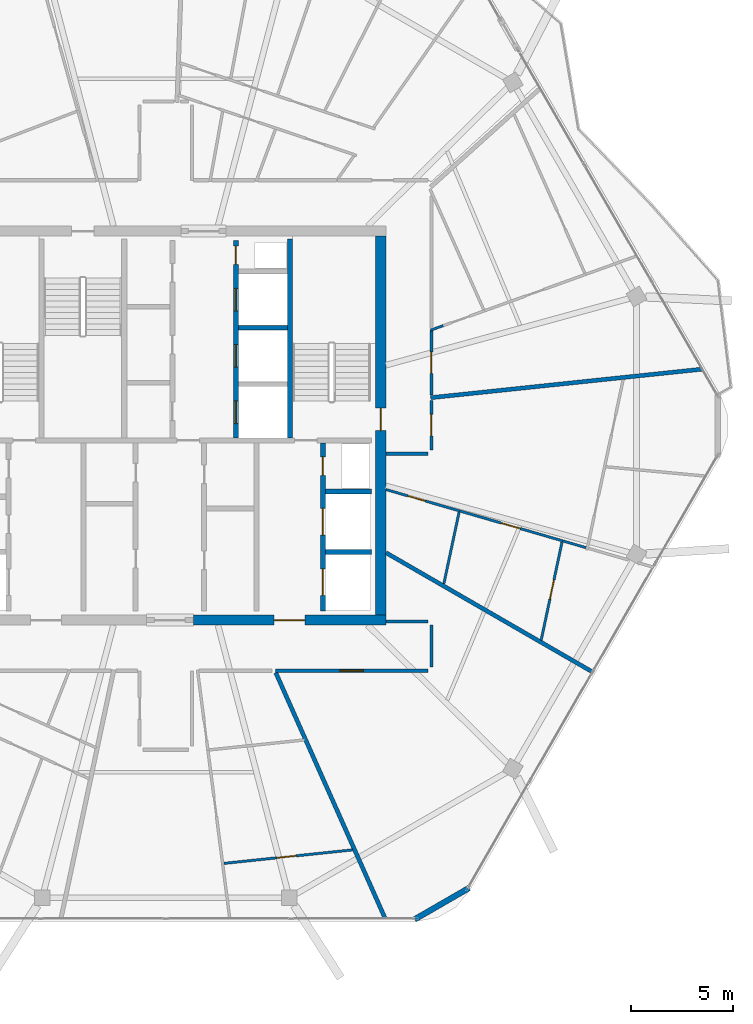
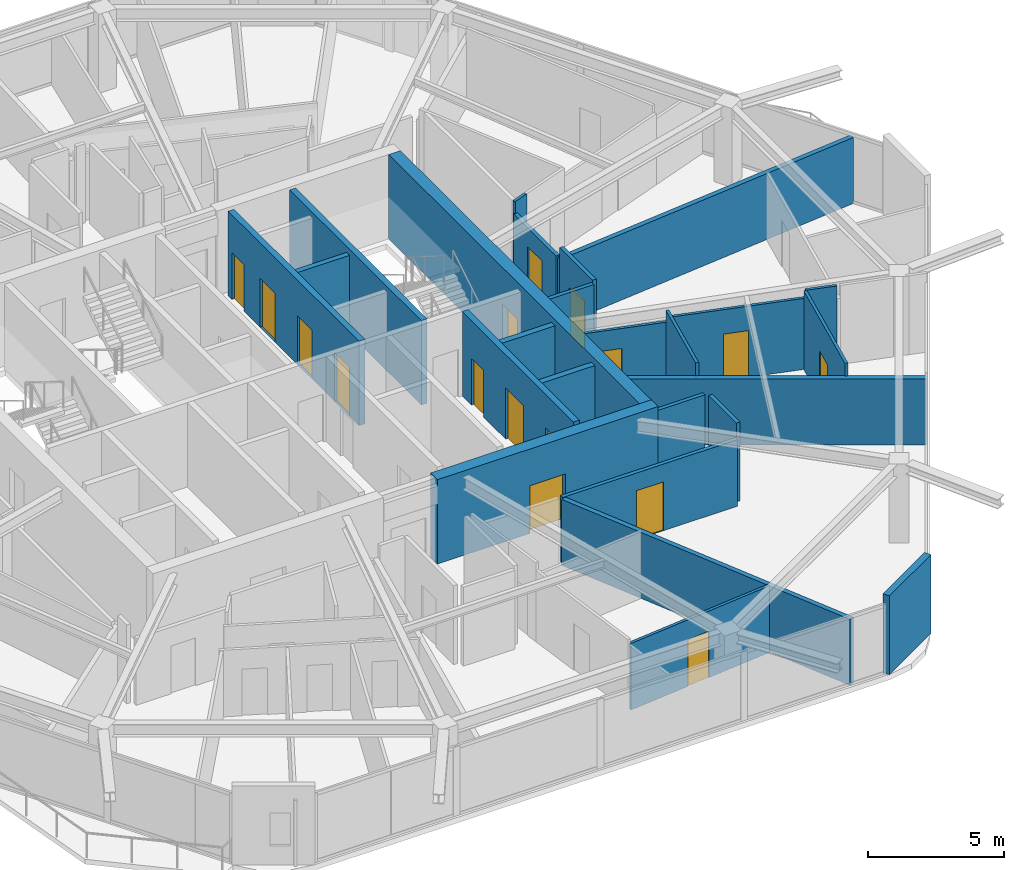
# One storey, part 14 of 18: 25 walls, 16 doors, 16 openings.
"""IFC4 building model written with IfcOpenShell, lengths in metres."""

import ifcopenshell
import ifcopenshell.guid

model = None  # the IFC model being written
_history = None  # IfcOwnerHistory: only IFC2X3 demands one
_inside = {}  # id of a spatial element -> (the spatial element, [elements in it])
_under = {}  # id of a project, library or spatial element -> (it, [spatial elements below it])
_declared = {}  # id of a project -> (the project, [libraries it declares])
_typed = {}  # id of a type object -> (the type object, [elements of that type])
_made_of = {}  # id of a material, layer set ... -> (it, [elements and type objects made of it])


def new_model(schema):
    """Start an empty IFC model of exactly this schema.

    Asked for "IFC4X3", IfcOpenShell would pick the latest addendum, in which some entities
    have other attributes; the version numbers below select the first issue.
    IFC2X3 requires an IfcOwnerHistory on every rooted entity: one is made here for all.
    """
    global model, _history
    if schema == "IFC4X3":
        model = ifcopenshell.file(schema_version=(4, 3, 0, 0))
    else:
        model = ifcopenshell.file(schema=schema)
    _inside.clear()
    _under.clear()
    _declared.clear()
    _typed.clear()
    _made_of.clear()
    _history = None
    if model.schema == "IFC2X3":
        org = make("IfcOrganization", Name="unknown")
        user = make(
            "IfcPersonAndOrganization",
            ThePerson=make("IfcPerson", FamilyName="unknown"),
            TheOrganization=org,
        )
        app = make(
            "IfcApplication",
            ApplicationDeveloper=org,
            Version="unknown",
            ApplicationFullName="unknown",
            ApplicationIdentifier="unknown",
        )
        _history = make(
            "IfcOwnerHistory",
            OwningUser=user,
            OwningApplication=app,
            ChangeAction="ADDED",
            CreationDate=0,
        )
    return model


def make(cls, **values):
    """One entity of the class cls with the attributes given. An attribute that is None is left unset."""
    return model.create_entity(
        cls, **{name: value for name, value in values.items() if value is not None}
    )


def rooted(cls, **values):
    """An entity with a GlobalId (a new one), such as an element, a storey or a relation."""
    return make(cls, GlobalId=ifcopenshell.guid.new(), OwnerHistory=_history, **values)


def si_unit(unit_type, name, prefix=None):
    """IfcSIUnit, for example si_unit("LENGTHUNIT", "METRE", prefix="MILLI")."""
    return make("IfcSIUnit", UnitType=unit_type, Prefix=prefix, Name=name)


def assignment(units):
    """IfcUnitAssignment: the units of a project."""
    return None if units is None else make("IfcUnitAssignment", Units=units)


def point(xyz):
    """IfcCartesianPoint."""
    return None if xyz is None else make("IfcCartesianPoint", Coordinates=xyz)


def direction(xyz):
    """IfcDirection."""
    return None if xyz is None else make("IfcDirection", DirectionRatios=xyz)


def frame(location, z_axis=None, x_axis=None):
    """IfcAxis2Placement3D, a coordinate frame: its origin and axes. An axis left out is left unset."""
    return make(
        "IfcAxis2Placement3D",
        Location=point(location),
        Axis=direction(z_axis),
        RefDirection=direction(x_axis),
    )


def frame_2d(location, x_axis=None):
    """IfcAxis2Placement2D, a coordinate frame in the plane: its origin and x axis."""
    return make(
        "IfcAxis2Placement2D", Location=point(location), RefDirection=direction(x_axis)
    )


def origin():
    """The frame at (0, 0, 0) with its axes left unset."""
    return frame((0.0, 0.0, 0.0))


def place(relative_to, where):
    """IfcLocalPlacement: puts the frame where relative to a parent placement (None: the world)."""
    return make(
        "IfcLocalPlacement", PlacementRelTo=relative_to, RelativePlacement=where
    )


def context(
    kind, dimensions, precision=None, world=None, true_north=None, identifier=None
):
    """IfcGeometricRepresentationContext, for example the 3D "Model" context."""
    return make(
        "IfcGeometricRepresentationContext",
        ContextIdentifier=identifier,
        ContextType=kind,
        CoordinateSpaceDimension=dimensions,
        Precision=precision,
        WorldCoordinateSystem=world,
        TrueNorth=true_north,
    )


def subcontext(parent, identifier, kind, view, scale=None):
    """IfcGeometricRepresentationSubContext, for example "Body" below "Model"."""
    return make(
        "IfcGeometricRepresentationSubContext",
        ContextIdentifier=identifier,
        ContextType=kind,
        ParentContext=parent,
        TargetScale=scale,
        TargetView=view,
    )


def project(units=None, contexts=None):
    """IfcProject with its units and contexts."""
    return rooted(
        "IfcProject",
        Name="project",
        RepresentationContexts=contexts,
        UnitsInContext=assignment(units),
    )


def spatial(cls, under=None, at=None, **own):
    """A site, building, storey or space (cls), placed at a placement, below another one or the project."""
    s = rooted(cls, ObjectPlacement=at, **own)
    if under is not None:
        _under.setdefault(under.id(), (under, []))[1].append(s)
    return s


def profile(cls, at=None, kind="AREA", **sizes):
    """A parametric profile (cls). Its sizes go by their IFC names, for example OverallWidth=200.0."""
    return make(cls, ProfileType=kind, Position=at, **sizes)


def rectangle(**sizes):
    """IfcRectangleProfileDef."""
    return profile("IfcRectangleProfileDef", **sizes)


def extrude(swept, where, along, depth):
    """IfcExtrudedAreaSolid: the profile swept, set in the frame where, extruded along a direction by depth."""
    return make(
        "IfcExtrudedAreaSolid",
        SweptArea=swept,
        Position=where,
        ExtrudedDirection=direction(along),
        Depth=depth,
    )


def shape(context_of_items, identifier, shape_type, items):
    """IfcShapeRepresentation: the items that make up one representation, for example the "Body"."""
    return make(
        "IfcShapeRepresentation",
        ContextOfItems=context_of_items,
        RepresentationIdentifier=identifier,
        RepresentationType=shape_type,
        Items=items,
    )


def material(Name=None, Category=None):
    """IfcMaterial."""
    return make("IfcMaterial", Name=Name, Category=Category)


def layer(
    of_material, thickness, ventilated=None, Name=None, Category=None, Priority=None
):
    """IfcMaterialLayer: one layer of a wall or slab, of a material (None: an air gap)."""
    return make(
        "IfcMaterialLayer",
        Material=of_material,
        LayerThickness=thickness,
        IsVentilated=ventilated,
        Name=Name,
        Category=Category,
        Priority=Priority,
    )


def layer_set(layers, Name=None):
    """IfcMaterialLayerSet."""
    return make("IfcMaterialLayerSet", MaterialLayers=layers, LayerSetName=Name)


def made_of(thing, what):
    """Note that an element or type object is made of a material, layer set ...; save() writes the relation."""
    if what is not None:
        _made_of.setdefault(what.id(), (what, []))[1].append(thing)
    return thing


def type_object(cls, material=None, **own):
    """A type object (cls), such as IfcWallType, which elements share."""
    return made_of(rooted(cls, **own), material)


def element(
    cls,
    number,
    at=None,
    inside=None,
    cuts=None,
    type_object=None,
    material=None,
    context=None,
    identifier="Body",
    shape_type=None,
    held_by="IfcProductDefinitionShape",
    body=None,
    shapes=None,
    **own,
):
    """One element of the class cls, such as IfcWall. Its Tag is "e" and its number.

    at: its placement. inside: the storey or other place that contains it. cuts: it is an
    opening in that element (IfcRelVoidsElement). A single representation is given by context,
    identifier, shape_type and body (its items); several are given by shapes. held_by: the class
    of the entity that holds the representations. save() writes the other relations.
    """
    e = rooted(cls, Tag="e%d" % number, ObjectPlacement=at, **own)
    if body is not None:
        shapes = [shape(context, identifier, shape_type, body)]
    if shapes is not None:
        e.Representation = make(held_by, Representations=shapes)
    if inside is not None:
        _inside.setdefault(inside.id(), (inside, []))[1].append(e)
    if cuts is not None:
        rooted(
            "IfcRelVoidsElement", RelatingBuildingElement=cuts, RelatedOpeningElement=e
        )
    if type_object is not None:
        _typed.setdefault(type_object.id(), (type_object, []))[1].append(e)
    return made_of(e, material)


def fill(opening, filler):
    """IfcRelFillsElement: the door or window that sits in an opening."""
    return rooted(
        "IfcRelFillsElement",
        RelatingOpeningElement=opening,
        RelatedBuildingElement=filler,
    )


def aggregate(whole, parts):
    """IfcRelAggregates: a whole, such as a stair, and the parts it consists of."""
    return rooted("IfcRelAggregates", RelatingObject=whole, RelatedObjects=parts)


def save(model, path):
    """Write the relations noted so far, then the file.

    IfcRelAggregates (storeys below a building ...), IfcRelContainedInSpatialStructure (elements
    in a storey), IfcRelDefinesByType, IfcRelAssociatesMaterial and IfcRelDeclares: one each for
    every whole, place, type object, material and project.
    """
    for whole, parts in _under.values():
        aggregate(whole, parts)
    for where, things in _inside.values():
        rooted(
            "IfcRelContainedInSpatialStructure",
            RelatedElements=things,
            RelatingStructure=where,
        )
    for kind, things in _typed.values():
        rooted("IfcRelDefinesByType", RelatedObjects=things, RelatingType=kind)
    for what, things in _made_of.values():
        rooted("IfcRelAssociatesMaterial", RelatedObjects=things, RelatingMaterial=what)
    for by, libraries in _declared.values():
        rooted("IfcRelDeclares", RelatingContext=by, RelatedDefinitions=libraries)
    model.write(path)


model = new_model("IFC4")

# Units and contexts
model_context = context("Model", 3, precision=1e-05, world=origin(), true_north=direction((0.0, 1.0)))
body_context = subcontext(model_context, "Body", "Model", "MODEL_VIEW")
ifc_project = project(units=[si_unit("LENGTHUNIT", "METRE"), si_unit("AREAUNIT", "SQUARE_METRE"), si_unit("VOLUMEUNIT", "CUBIC_METRE"), si_unit("PLANEANGLEUNIT", "RADIAN"), si_unit("MASSUNIT", "GRAM", prefix="KILO")], contexts=[model_context])

# Site, building, storey
site_placement = place(None, origin())
site = spatial("IfcSite", under=ifc_project, at=site_placement, CompositionType="ELEMENT")
building_placement = place(site_placement, origin())
building = spatial("IfcBuilding", under=site, at=building_placement, Name="Zuhravey Tower", CompositionType="ELEMENT")
storey_placement = place(building_placement, frame((0.0, 0.0, 342.39990234375)))
storey = spatial("IfcBuildingStorey", under=building, at=storey_placement, Name="L87", CompositionType="ELEMENT", Elevation=342.39990234375)

# Wall, opening, door
ifc_material_1 = material(Name="Concrete C50/60", Category="concrete")
ifc_layer_1 = layer(ifc_material_1, 0.5)
ifc_layer_set_1 = layer_set([ifc_layer_1], Name="Concrete C50/60")
wall_type_1 = type_object("IfcWallType", Name="Core Shear Wall 500", PredefinedType="SHEAR", material=ifc_layer_set_1)
wall_1_placement = place(storey_placement, frame((37.35009765625, 22.5, 0.0), z_axis=(0.0, 0.0, 1.0), x_axis=(1.0, 0.0, 0.0)))
wall_1 = element("IfcWall", 1, at=wall_1_placement, inside=storey, type_object=wall_type_1, Name="L87 South-East Core Shear Wall CW50", PredefinedType="SHEAR", context=body_context, shape_type="SweptSolid", body=[
    extrude(rectangle(XDim=9.39990234375, YDim=0.5, at=frame_2d((4.699951171875, 0.0))), origin(), (0.0, 0.0, 1.0), 3.800048828125),
])
opening_1_placement = place(wall_1_placement, frame((3.949951171875, 0.0, 0.0)))
opening_1 = element("IfcOpeningElement", 2, at=opening_1_placement, cuts=wall_1, Name="Opening FFD1", PredefinedType="OPENING", context=body_context, shape_type="SweptSolid", body=[
    extrude(rectangle(XDim=1.5, YDim=2.14990234375, at=frame_2d((0.75, 1.074951171875))), frame((0.0, 0.261962890625, 0.0), z_axis=(0.0, -1.0, 0.0), x_axis=(1.0, 0.0, 0.0)), (0.0, 0.0, 1.0), 0.52392578125),
])
ifc_material_2 = material(Name="Galvanised fire-rated steel leaf", Category="steel")
door_type_1 = type_object("IfcDoorType", Name="Firefighting Lobby Double Door 1500x2150", OperationType="DOUBLE_DOOR_SINGLE_SWING", PredefinedType="DOOR", material=ifc_material_2)
door_1_placement = place(opening_1_placement, origin())
door_1 = element("IfcDoor", 3, at=door_1_placement, inside=storey, type_object=door_type_1, Name="L87 Firefighting Lobby East Door", OperationType="DOUBLE_DOOR_SINGLE_SWING", OverallHeight=2.14990234375, OverallWidth=1.5, PredefinedType="DOOR", context=body_context, shape_type="SweptSolid", body=[
    extrude(rectangle(XDim=1.5, YDim=2.14990234375, at=frame_2d((0.75, 1.074951171875))), frame((0.0, 0.02490234375, 0.0), z_axis=(0.0, -1.0, 0.0), x_axis=(1.0, 0.0, 0.0)), (0.0, 0.0, 1.0), 0.050048828125),
])
fill(opening_1, door_1)

wall_2_placement = place(storey_placement, frame((46.5, 22.75, 0.0), z_axis=(0.0, 0.0, 1.0), x_axis=(0.0, 1.0, 0.0)))
wall_2 = element("IfcWall", 4, at=wall_2_placement, inside=storey, type_object=wall_type_1, Name="L87 East Core Shear Wall CW50", PredefinedType="SHEAR", context=body_context, shape_type="SweptSolid", body=[
    extrude(rectangle(XDim=18.5, YDim=0.5, at=frame_2d((9.25, 0.0))), origin(), (0.0, 0.0, 1.0), 3.800048828125),
])
opening_2_placement = place(wall_2_placement, frame((9.0, 0.0, 0.0)))
opening_2 = element("IfcOpeningElement", 5, at=opening_2_placement, cuts=wall_2, Name="Opening STD1", PredefinedType="OPENING", context=body_context, shape_type="SweptSolid", body=[
    extrude(rectangle(XDim=1.10009765625, YDim=2.14990234375, at=frame_2d((0.550048828125, 1.074951171875))), frame((0.0, 0.261962890625, 0.0), z_axis=(0.0, -1.0, 0.0), x_axis=(1.0, 0.0, 0.0)), (0.0, 0.0, 1.0), 0.52392578125),
])
door_type_2 = type_object("IfcDoorType", Name="Protected Stair Fire Door 1100x2150", OperationType="NOTDEFINED", PredefinedType="USERDEFINED", material=ifc_material_2)
door_2_placement = place(opening_2_placement, origin())
door_2 = element("IfcDoor", 6, at=door_2_placement, inside=storey, type_object=door_type_2, Name="L87 Stair ST2 Door", ObjectType="EXITDOOR", OperationType="SINGLE_SWING_LEFT", OverallHeight=2.14990234375, OverallWidth=1.10009765625, PredefinedType="USERDEFINED", context=body_context, shape_type="SweptSolid", body=[
    extrude(rectangle(XDim=1.10009765625, YDim=2.14990234375, at=frame_2d((0.550048828125, 1.074951171875))), frame((0.0, 0.02490234375, 0.0), z_axis=(0.0, -1.0, 0.0), x_axis=(1.0, 0.0, 0.0)), (0.0, 0.0, 1.0), 0.050048828125),
])
fill(opening_2, door_2)

ifc_material_3 = material(Name="Gypsum fire-rated stud partition")
ifc_layer_2 = layer(ifc_material_3, 0.159912109375)
ifc_layer_set_2 = layer_set([ifc_layer_2], Name="Gypsum fire-rated stud partition")
wall_type_2 = type_object("IfcWallType", Name="Corridor Fire Partition 160", PredefinedType="PARTITIONING", material=ifc_layer_set_2)
wall_3_placement = place(storey_placement, frame((41.355712890625, 20.02001953125, 0.0), z_axis=(0.0, 0.0, 1.0), x_axis=(1.0, 0.0, 0.0)))
wall_3 = element("IfcWall", 7, at=wall_3_placement, inside=storey, type_object=wall_type_2, Name="L87 IW16 Partition 041", PredefinedType="PARTITIONING", context=body_context, shape_type="SweptSolid", body=[
    extrude(rectangle(XDim=7.4443359375, YDim=0.159912109375, at=frame_2d((3.72216796875, 0.0))), origin(), (0.0, 0.0, 1.0), 3.0),
])
opening_3_placement = place(wall_3_placement, frame((3.147216796875, 0.0, 0.0)))
opening_3 = element("IfcOpeningElement", 8, at=opening_3_placement, cuts=wall_3, Name="Opening CLD1", PredefinedType="OPENING", context=body_context, shape_type="SweptSolid", body=[
    extrude(rectangle(XDim=1.14990234375, YDim=2.199951171875, at=frame_2d((0.574951171875, 1.10009765625))), frame((0.0, 0.092041015625, 0.0), z_axis=(0.0, -1.0, 0.0), x_axis=(1.0, 0.0, 0.0)), (0.0, 0.0, 1.0), 0.183837890625),
])
ifc_material_4 = material(Name="Acoustic timber leaf with vision lite", Category="wood")
door_type_3 = type_object("IfcDoorType", Name="Classroom Acoustic Door 1150x2200", OperationType="NOTDEFINED", PredefinedType="DOOR", material=ifc_material_4)
door_3_placement = place(opening_3_placement, frame((1.14990234375, 0.0, 0.0), z_axis=(0.0, 0.0, 1.0), x_axis=(-1.0, 0.0, 0.0)))
door_3 = element("IfcDoor", 9, at=door_3_placement, inside=storey, type_object=door_type_3, Name="L87 Door 041.1", OperationType="SINGLE_SWING_LEFT", OverallHeight=2.199951171875, OverallWidth=1.14990234375, PredefinedType="DOOR", context=body_context, shape_type="SweptSolid", body=[
    extrude(rectangle(XDim=1.14990234375, YDim=2.199951171875, at=frame_2d((0.574951171875, 1.10009765625))), frame((0.0, 0.02490234375, 0.0), z_axis=(0.0, -1.0, 0.0), x_axis=(1.0, 0.0, 0.0)), (0.0, 0.0, 1.0), 0.050048828125),
])
fill(opening_3, door_3)

wall_4_placement = place(storey_placement, frame((48.97998046875, 30.800048828125, 0.0), z_axis=(0.0, 0.0, 1.0), x_axis=(0.0, 1.0, 0.0)))
wall_4 = element("IfcWall", 10, at=wall_4_placement, inside=storey, type_object=wall_type_2, Name="L87 IW16 Partition 046", PredefinedType="PARTITIONING", context=body_context, shape_type="SweptSolid", body=[
    extrude(rectangle(XDim=2.4296875, YDim=0.159912109375, at=frame_2d((1.21484375, 0.0))), origin(), (0.0, 0.0, 1.0), 3.550048828125),
])
opening_4_placement = place(wall_4_placement, frame((0.68994140625, 0.0, 0.0)))
opening_4 = element("IfcOpeningElement", 11, at=opening_4_placement, cuts=wall_4, Name="Opening APD1", PredefinedType="OPENING", context=body_context, shape_type="SweptSolid", body=[
    extrude(rectangle(XDim=1.050048828125, YDim=2.14990234375, at=frame_2d((0.52490234375, 1.074951171875))), frame((0.0, 0.092041015625, 0.0), z_axis=(0.0, -1.0, 0.0), x_axis=(1.0, 0.0, 0.0)), (0.0, 0.0, 1.0), 0.183837890625),
])
ifc_material_5 = material(Name="Solid-core oak fire-rated leaf")
door_type_4 = type_object("IfcDoorType", Name="Apartment Entrance Fire Door 1050x2150", OperationType="NOTDEFINED", PredefinedType="DOOR", material=ifc_material_5)
door_4_placement = place(opening_4_placement, frame((1.050048828125, 0.0, 0.0), z_axis=(0.0, 0.0, 1.0), x_axis=(-1.0, 0.0, 0.0)))
door_4 = element("IfcDoor", 12, at=door_4_placement, inside=storey, type_object=door_type_4, Name="L87 Door 046.1", OperationType="SINGLE_SWING_LEFT", OverallHeight=2.14990234375, OverallWidth=1.050048828125, PredefinedType="DOOR", context=body_context, shape_type="SweptSolid", body=[
    extrude(rectangle(XDim=1.050048828125, YDim=2.14990234375, at=frame_2d((0.52490234375, 1.074951171875))), frame((0.0, 0.02490234375, 0.0), z_axis=(0.0, -1.0, 0.0), x_axis=(1.0, 0.0, 0.0)), (0.0, 0.0, 1.0), 0.050048828125),
])
fill(opening_4, door_4)

wall_5_placement = place(storey_placement, frame((48.97998046875, 33.4990234375, 0.0), z_axis=(0.0, 0.0, 1.0), x_axis=(0.0, 1.0, 0.0)))
wall_5 = element("IfcWall", 13, at=wall_5_placement, inside=storey, type_object=wall_type_2, Name="L87 IW16 Partition 050", PredefinedType="PARTITIONING", context=body_context, shape_type="SweptSolid", body=[
    extrude(rectangle(XDim=3.15283203125, YDim=0.159912109375, at=frame_2d((1.576416015625, 0.0))), origin(), (0.0, 0.0, 1.0), 3.0),
])
opening_5_placement = place(wall_5_placement, frame((1.051513671875, 0.0, 0.0)))
opening_5 = element("IfcOpeningElement", 14, at=opening_5_placement, cuts=wall_5, Name="Opening APD1", PredefinedType="OPENING", context=body_context, shape_type="SweptSolid", body=[
    extrude(rectangle(XDim=1.050048828125, YDim=2.14990234375, at=frame_2d((0.52490234375, 1.074951171875))), frame((0.0, 0.092041015625, 0.0), z_axis=(0.0, -1.0, 0.0), x_axis=(1.0, 0.0, 0.0)), (0.0, 0.0, 1.0), 0.183837890625),
])
door_5_placement = place(opening_5_placement, frame((1.050048828125, 0.0, 0.0), z_axis=(0.0, 0.0, 1.0), x_axis=(-1.0, 0.0, 0.0)))
door_5 = element("IfcDoor", 15, at=door_5_placement, inside=storey, type_object=door_type_4, Name="L87 Door 050.1", OperationType="SINGLE_SWING_LEFT", OverallHeight=2.14990234375, OverallWidth=1.050048828125, PredefinedType="DOOR", context=body_context, shape_type="SweptSolid", body=[
    extrude(rectangle(XDim=1.050048828125, YDim=2.14990234375, at=frame_2d((0.52490234375, 1.074951171875))), frame((0.0, 0.02490234375, 0.0), z_axis=(0.0, -1.0, 0.0), x_axis=(1.0, 0.0, 0.0)), (0.0, 0.0, 1.0), 0.050048828125),
])
fill(opening_5, door_5)

# Walls
wall_6_placement = place(storey_placement, frame((48.97998046875, 20.199951171875, 0.0), z_axis=(0.0, 0.0, 1.0), x_axis=(0.0, 1.0, 0.0)))
element("IfcWall", 16, at=wall_6_placement, inside=storey, type_object=wall_type_2, Name="L87 IW16 Partition 123", PredefinedType="PARTITIONING", context=body_context, shape_type="SweptSolid", body=[
    extrude(rectangle(XDim=2.050048828125, YDim=0.159912109375, at=frame_2d((1.02490234375, 0.0))), origin(), (0.0, 0.0, 1.0), 3.550048828125),
])
for number, where, z_axis, x_axis, name in (
    (17, (48.800048828125, 22.429931640625, 0.0), (0.0, 0.0, 1.0), (-1.0, 0.0, 0.0), "L87 IW16 Partition 124"),
    (18, (46.77001953125, 30.6201171875, 0.0), (0.0, 0.0, 1.0), (1.0, 0.0, 0.0), "L87 IW16 Partition 125"),
):
    element("IfcWall", number, at=place(storey_placement, frame(where, z_axis=z_axis, x_axis=x_axis)), inside=storey, type_object=wall_type_2, Name=name, PredefinedType="PARTITIONING", context=body_context, shape_type="SweptSolid", body=[
        extrude(rectangle(XDim=2.030029296875, YDim=0.159912109375, at=frame_2d((1.01513671875, 0.0))), origin(), (0.0, 0.0, 1.0), 3.550048828125),
    ])
ifc_material_6 = material(Name="Precast concrete C40/50", Category="concrete")
ifc_layer_3 = layer(ifc_material_6, 0.280029296875)
ifc_layer_set_3 = layer_set([ifc_layer_3], Name="Precast concrete C40/50")
wall_type_3 = type_object("IfcWallType", Name="Crown Architectural Wall 280", PredefinedType="SOLIDWALL", material=ifc_layer_set_3)
wall_7_placement = place(storey_placement, frame((50.811279296875, 9.410888671875, 0.0), z_axis=(0.0, 0.0, 1.0), x_axis=(-0.866023752521, -0.50000286006, 0.0)))
element("IfcWall", 19, at=wall_7_placement, inside=storey, type_object=wall_type_3, Name="L87 Rounded Corner Closure Wall EW28-02", PredefinedType="SOLIDWALL", context=body_context, shape_type="SweptSolid", body=[
    extrude(rectangle(XDim=3.06494140625, YDim=0.280029296875, at=frame_2d((1.532470703125, 0.0))), origin(), (0.0, 0.0, 1.0), 3.550048828125),
])
ifc_layer_4 = layer(ifc_material_1, 0.25)
ifc_layer_set_4 = layer_set([ifc_layer_4], Name="Concrete C50/60")
wall_type_4 = type_object("IfcWallType", Name="Firefighting Shaft & Stair Wall 250", PredefinedType="SOLIDWALL", material=ifc_layer_set_4)
wall_8_placement = place(storey_placement, frame((42.074951171875, 31.39990234375, 0.0), z_axis=(0.0, 0.0, 1.0), x_axis=(0.0, 1.0, 0.0)))
element("IfcWall", 20, at=wall_8_placement, inside=storey, type_object=wall_type_4, Name="L87 FW25 Shaft Wall 006", PredefinedType="SOLIDWALL", context=body_context, shape_type="SweptSolid", body=[
    extrude(rectangle(XDim=9.7001953125, YDim=0.25, at=frame_2d((4.85009765625, 0.0))), origin(), (0.0, 0.0, 1.0), 3.800048828125),
])

# Wall, openings, doors
wall_9_placement = place(storey_placement, frame((39.425048828125, 31.39990234375, 0.0), z_axis=(0.0, 0.0, 1.0), x_axis=(0.0, 1.0, 0.0)))
wall_9 = element("IfcWall", 21, at=wall_9_placement, inside=storey, type_object=wall_type_4, Name="L87 FW25 Shaft Wall 008", PredefinedType="SOLIDWALL", context=body_context, shape_type="SweptSolid", body=[
    extrude(rectangle(XDim=9.650146484375, YDim=0.25, at=frame_2d((4.8251953125, 0.0))), origin(), (0.0, 0.0, 1.0), 3.800048828125),
])
opening_6_placement = place(wall_9_placement, frame((0.699951171875, 0.0, 0.0)))
opening_6 = element("IfcOpeningElement", 22, at=opening_6_placement, cuts=wall_9, Name="Opening LD1", PredefinedType="OPENING", context=body_context, shape_type="SweptSolid", body=[
    extrude(rectangle(XDim=1.10009765625, YDim=2.199951171875, at=frame_2d((0.550048828125, 1.10009765625))), frame((0.0, 0.136962890625, 0.0), z_axis=(0.0, -1.0, 0.0), x_axis=(1.0, 0.0, 0.0)), (0.0, 0.0, 1.0), 0.27392578125),
])
opening_7_placement = place(wall_9_placement, frame((3.449951171875, 0.0, 0.0)))
opening_7 = element("IfcOpeningElement", 23, at=opening_7_placement, cuts=wall_9, Name="Opening LD1", PredefinedType="OPENING", context=body_context, shape_type="SweptSolid", body=[
    extrude(rectangle(XDim=1.10009765625, YDim=2.199951171875, at=frame_2d((0.550048828125, 1.10009765625))), frame((0.0, 0.136962890625, 0.0), z_axis=(0.0, -1.0, 0.0), x_axis=(1.0, 0.0, 0.0)), (0.0, 0.0, 1.0), 0.27392578125),
])
opening_8_placement = place(wall_9_placement, frame((6.199951171875, 0.0, 0.0)))
opening_8 = element("IfcOpeningElement", 24, at=opening_8_placement, cuts=wall_9, Name="Opening LD1", PredefinedType="OPENING", context=body_context, shape_type="SweptSolid", body=[
    extrude(rectangle(XDim=1.10009765625, YDim=2.199951171875, at=frame_2d((0.550048828125, 1.10009765625))), frame((0.0, 0.136962890625, 0.0), z_axis=(0.0, -1.0, 0.0), x_axis=(1.0, 0.0, 0.0)), (0.0, 0.0, 1.0), 0.27392578125),
])
opening_9_placement = place(wall_9_placement, frame((8.469970703125, 0.0, 0.0)))
opening_9 = element("IfcOpeningElement", 25, at=opening_9_placement, cuts=wall_9, Name="Opening RSD1", PredefinedType="OPENING", context=body_context, shape_type="SweptSolid", body=[
    extrude(rectangle(XDim=0.89990234375, YDim=2.10009765625, at=frame_2d((0.449951171875, 1.050048828125))), frame((0.0, 0.136962890625, 0.0), z_axis=(0.0, -1.0, 0.0), x_axis=(1.0, 0.0, 0.0)), (0.0, 0.0, 1.0), 0.27392578125),
])
ifc_material_7 = material(Name="Brushed stainless steel", Category="steel")
door_type_5 = type_object("IfcDoorType", Name="Lift Landing Sliding Door 1100x2200", OperationType="DOUBLE_DOOR_SLIDING", PredefinedType="DOOR", material=ifc_material_7)
door_6_placement = place(opening_6_placement, origin())
door_6 = element("IfcDoor", 26, at=door_6_placement, inside=storey, type_object=door_type_5, Name="L87 Lift PL7 Landing Door", OperationType="DOUBLE_DOOR_SLIDING", OverallHeight=2.199951171875, OverallWidth=1.10009765625, PredefinedType="DOOR", context=body_context, shape_type="SweptSolid", body=[
    extrude(rectangle(XDim=1.10009765625, YDim=2.199951171875, at=frame_2d((0.550048828125, 1.10009765625))), frame((0.0, 0.02490234375, 0.0), z_axis=(0.0, -1.0, 0.0), x_axis=(1.0, 0.0, 0.0)), (0.0, 0.0, 1.0), 0.050048828125),
])
fill(opening_6, door_6)
door_7_placement = place(opening_7_placement, origin())
door_7 = element("IfcDoor", 27, at=door_7_placement, inside=storey, type_object=door_type_5, Name="L87 Lift PL8 Landing Door", OperationType="DOUBLE_DOOR_SLIDING", OverallHeight=2.199951171875, OverallWidth=1.10009765625, PredefinedType="DOOR", context=body_context, shape_type="SweptSolid", body=[
    extrude(rectangle(XDim=1.10009765625, YDim=2.199951171875, at=frame_2d((0.550048828125, 1.10009765625))), frame((0.0, 0.02490234375, 0.0), z_axis=(0.0, -1.0, 0.0), x_axis=(1.0, 0.0, 0.0)), (0.0, 0.0, 1.0), 0.050048828125),
])
fill(opening_7, door_7)
door_8_placement = place(opening_8_placement, origin())
door_8 = element("IfcDoor", 28, at=door_8_placement, inside=storey, type_object=door_type_5, Name="L87 Lift PL9 Landing Door", OperationType="DOUBLE_DOOR_SLIDING", OverallHeight=2.199951171875, OverallWidth=1.10009765625, PredefinedType="DOOR", context=body_context, shape_type="SweptSolid", body=[
    extrude(rectangle(XDim=1.10009765625, YDim=2.199951171875, at=frame_2d((0.550048828125, 1.10009765625))), frame((0.0, 0.02490234375, 0.0), z_axis=(0.0, -1.0, 0.0), x_axis=(1.0, 0.0, 0.0)), (0.0, 0.0, 1.0), 0.050048828125),
])
fill(opening_8, door_8)
ifc_material_8 = material(Name="Galvanised fire-rated steel access leaf", Category="steel")
door_type_6 = type_object("IfcDoorType", Name="Riser & Shaft Access Fire Door 900x2100", OperationType="NOTDEFINED", PredefinedType="DOOR", material=ifc_material_8)
door_9_placement = place(opening_9_placement, origin())
door_9 = element("IfcDoor", 29, at=door_9_placement, inside=storey, type_object=door_type_6, Name="L87 North Riser Door", OperationType="SINGLE_SWING_LEFT", OverallHeight=2.10009765625, OverallWidth=0.89990234375, PredefinedType="DOOR", context=body_context, shape_type="SweptSolid", body=[
    extrude(rectangle(XDim=0.89990234375, YDim=2.10009765625, at=frame_2d((0.449951171875, 1.050048828125))), frame((0.0, 0.02490234375, 0.0), z_axis=(0.0, -1.0, 0.0), x_axis=(1.0, 0.0, 0.0)), (0.0, 0.0, 1.0), 0.050048828125),
])
fill(opening_9, door_9)

# Walls
for number, where, z_axis, x_axis, name in (
    (30, (43.800048828125, 25.824951171875, 0.0), (0.0, 0.0, 1.0), (1.0, 0.0, 0.0), "L87 FW25 Shaft Wall 017"),
    (31, (43.800048828125, 28.77490234375, 0.0), (0.0, 0.0, 1.0), (1.0, 0.0, 0.0), "L87 FW25 Shaft Wall 018"),
):
    element("IfcWall", number, at=place(storey_placement, frame(where, z_axis=z_axis, x_axis=x_axis)), inside=storey, type_object=wall_type_4, Name=name, PredefinedType="SOLIDWALL", context=body_context, shape_type="SweptSolid", body=[
        extrude(rectangle(XDim=2.25, YDim=0.25, at=frame_2d((1.125, 0.0))), origin(), (0.0, 0.0, 1.0), 3.800048828125),
    ])

# Wall, openings, doors
wall_10_placement = place(storey_placement, frame((43.675048828125, 22.949951171875, 0.0), z_axis=(0.0, 0.0, 1.0), x_axis=(0.0, 1.0, 0.0)))
wall_10 = element("IfcWall", 32, at=wall_10_placement, inside=storey, type_object=wall_type_4, Name="L87 FW25 Shaft Wall 019", PredefinedType="SOLIDWALL", context=body_context, shape_type="SweptSolid", body=[
    extrude(rectangle(XDim=8.199951171875, YDim=0.25, at=frame_2d((4.10009765625, 0.0))), origin(), (0.0, 0.0, 1.0), 3.800048828125),
])
opening_10_placement = place(wall_10_placement, frame((0.75, 0.0, 0.0)))
opening_10 = element("IfcOpeningElement", 33, at=opening_10_placement, cuts=wall_10, Name="Opening LD2", PredefinedType="OPENING", context=body_context, shape_type="SweptSolid", body=[
    extrude(rectangle(XDim=1.300048828125, YDim=2.300048828125, at=frame_2d((0.64990234375, 1.14990234375))), frame((0.0, 0.136962890625, 0.0), z_axis=(0.0, -1.0, 0.0), x_axis=(1.0, 0.0, 0.0)), (0.0, 0.0, 1.0), 0.27392578125),
])
opening_11_placement = place(wall_10_placement, frame((3.699951171875, 0.0, 0.0)))
opening_11 = element("IfcOpeningElement", 34, at=opening_11_placement, cuts=wall_10, Name="Opening LD2", PredefinedType="OPENING", context=body_context, shape_type="SweptSolid", body=[
    extrude(rectangle(XDim=1.300048828125, YDim=2.300048828125, at=frame_2d((0.64990234375, 1.14990234375))), frame((0.0, 0.136962890625, 0.0), z_axis=(0.0, -1.0, 0.0), x_axis=(1.0, 0.0, 0.0)), (0.0, 0.0, 1.0), 0.27392578125),
])
opening_12_placement = place(wall_10_placement, frame((6.6201171875, 0.0, 0.0)))
opening_12 = element("IfcOpeningElement", 35, at=opening_12_placement, cuts=wall_10, Name="Opening RSD1", PredefinedType="OPENING", context=body_context, shape_type="SweptSolid", body=[
    extrude(rectangle(XDim=0.89990234375, YDim=2.10009765625, at=frame_2d((0.449951171875, 1.050048828125))), frame((0.0, 0.136962890625, 0.0), z_axis=(0.0, -1.0, 0.0), x_axis=(1.0, 0.0, 0.0)), (0.0, 0.0, 1.0), 0.27392578125),
])
door_type_7 = type_object("IfcDoorType", Name="Freight & Stretcher Lift Sliding Door 1300x2300", OperationType="DOUBLE_DOOR_SLIDING", PredefinedType="DOOR", material=ifc_material_7)
door_10_placement = place(opening_10_placement, origin())
door_10 = element("IfcDoor", 36, at=door_10_placement, inside=storey, type_object=door_type_7, Name="L87 Lift FF2 Landing Door", OperationType="DOUBLE_DOOR_SLIDING", OverallHeight=2.300048828125, OverallWidth=1.300048828125, PredefinedType="DOOR", context=body_context, shape_type="SweptSolid", body=[
    extrude(rectangle(XDim=1.300048828125, YDim=2.300048828125, at=frame_2d((0.64990234375, 1.14990234375))), frame((0.0, 0.02490234375, 0.0), z_axis=(0.0, -1.0, 0.0), x_axis=(1.0, 0.0, 0.0)), (0.0, 0.0, 1.0), 0.050048828125),
])
fill(opening_10, door_10)
door_11_placement = place(opening_11_placement, origin())
door_11 = element("IfcDoor", 37, at=door_11_placement, inside=storey, type_object=door_type_7, Name="L87 Lift SV1 Landing Door", OperationType="DOUBLE_DOOR_SLIDING", OverallHeight=2.300048828125, OverallWidth=1.300048828125, PredefinedType="DOOR", context=body_context, shape_type="SweptSolid", body=[
    extrude(rectangle(XDim=1.300048828125, YDim=2.300048828125, at=frame_2d((0.64990234375, 1.14990234375))), frame((0.0, 0.02490234375, 0.0), z_axis=(0.0, -1.0, 0.0), x_axis=(1.0, 0.0, 0.0)), (0.0, 0.0, 1.0), 0.050048828125),
])
fill(opening_11, door_11)
door_12_placement = place(opening_12_placement, origin())
door_12 = element("IfcDoor", 38, at=door_12_placement, inside=storey, type_object=door_type_6, Name="L87 Plumbing Riser Door", OperationType="SINGLE_SWING_RIGHT", OverallHeight=2.10009765625, OverallWidth=0.89990234375, PredefinedType="DOOR", context=body_context, shape_type="SweptSolid", body=[
    extrude(rectangle(XDim=0.89990234375, YDim=2.10009765625, at=frame_2d((0.449951171875, 1.050048828125))), frame((0.0, 0.02490234375, 0.0), z_axis=(0.0, -1.0, 0.0), x_axis=(1.0, 0.0, 0.0)), (0.0, 0.0, 1.0), 0.050048828125),
])
fill(opening_12, door_12)

# Walls
ifc_material_9 = material(Name="Gypsum double-stud party assembly")
ifc_layer_5 = layer(ifc_material_9, 0.199951171875)
ifc_layer_set_5 = layer_set([ifc_layer_5], Name="Gypsum double-stud party assembly")
wall_type_5 = type_object("IfcWallType", Name="Inter-Tenancy Party Wall 200", PredefinedType="PARTITIONING", material=ifc_layer_set_5)
wall_11_placement = place(storey_placement, frame((41.373046875, 19.931884765625, 0.0), z_axis=(0.0, 0.0, 1.0), x_axis=(0.406736471648, -0.913545533967, 0.0)))
element("IfcWall", 39, at=wall_11_placement, inside=storey, type_object=wall_type_5, Name="L87 IW20 Partition 090", PredefinedType="PARTITIONING", context=body_context, shape_type="SweptSolid", body=[
    extrude(rectangle(XDim=13.142333984375, YDim=0.199951171875, at=frame_2d((6.5712890625, 0.0))), origin(), (0.0, 0.0, 1.0), 2.97021484375),
])
wall_12_placement = place(storey_placement, frame((46.758056640625, 25.788818359375, 0.0), z_axis=(0.0, 0.0, 1.0), x_axis=(0.866025778731, -0.499999350573, 0.0)))
element("IfcWall", 40, at=wall_12_placement, inside=storey, type_object=wall_type_5, Name="L87 IW20 Partition 091", PredefinedType="PARTITIONING", context=body_context, shape_type="SweptSolid", body=[
    extrude(rectangle(XDim=11.65185546875, YDim=0.199951171875, at=frame_2d((5.825927734375, 0.0))), origin(), (0.0, 0.0, 1.0), 2.97021484375),
])
wall_13_placement = place(storey_placement, frame((48.93994140625, 33.360107421875, 0.0), z_axis=(0.0, 0.0, 1.0), x_axis=(0.994521885418, 0.104528557935, 0.0)))
element("IfcWall", 41, at=wall_13_placement, inside=storey, type_object=wall_type_5, Name="L87 IW20 Partition 097", PredefinedType="PARTITIONING", context=body_context, shape_type="SweptSolid", body=[
    extrude(rectangle(XDim=13.341064453125, YDim=0.199951171875, at=frame_2d((6.67041015625, 0.0))), origin(), (0.0, 0.0, 1.0), 2.97021484375),
])
ifc_material_10 = material(Name="Gypsum acoustic stud assembly")
ifc_layer_6 = layer(ifc_material_10, 0.219970703125)
ifc_layer_set_6 = layer_set([ifc_layer_6], Name="Gypsum acoustic stud assembly")
wall_type_6 = type_object("IfcWallType", Name="School Acoustic Compartment Wall 220", PredefinedType="PARTITIONING", material=ifc_layer_set_6)
wall_14_placement = place(storey_placement, frame((39.55810546875, 36.77490234375, 0.0), z_axis=(0.0, 0.0, 1.0), x_axis=(1.0, 0.0, 0.0)))
element("IfcWall", 42, at=wall_14_placement, inside=storey, type_object=wall_type_6, Name="L87 IW22 Partition 054", PredefinedType="PARTITIONING", context=body_context, shape_type="SweptSolid", body=[
    extrude(rectangle(XDim=2.3837890625, YDim=0.219970703125, at=frame_2d((1.19189453125, 0.0))), origin(), (0.0, 0.0, 1.0), 3.550048828125),
])

# Wall, opening, door
ifc_material_11 = material(Name="Gypsum metal-stud partition")
ifc_layer_7 = layer(ifc_material_11, 0.1201171875)
ifc_layer_set_7 = layer_set([ifc_layer_7], Name="Gypsum metal-stud partition")
wall_type_7 = type_object("IfcWallType", Name="Unit Internal Partition 120", PredefinedType="PARTITIONING", material=ifc_layer_set_7)
wall_15_placement = place(storey_placement, frame((38.84619140625, 10.6142578125, 0.0), z_axis=(0.0, 0.0, 1.0), x_axis=(0.994523460233, 0.1045135735, 0.0)))
wall_15 = element("IfcWall", 43, at=wall_15_placement, inside=storey, type_object=wall_type_7, Name="L87 IW12 Partition 039", PredefinedType="PARTITIONING", context=body_context, shape_type="SweptSolid", body=[
    extrude(rectangle(XDim=6.3095703125, YDim=0.1201171875, at=frame_2d((3.15478515625, 0.0))), origin(), (0.0, 0.0, 1.0), 3.0),
])
opening_13_placement = place(wall_15_placement, frame((2.595703125, 0.0, 0.0)))
opening_13 = element("IfcOpeningElement", 44, at=opening_13_placement, cuts=wall_15, Name="Opening IND1", PredefinedType="OPENING", context=body_context, shape_type="SweptSolid", body=[
    extrude(rectangle(XDim=0.949951171875, YDim=2.10009765625, at=frame_2d((0.47509765625, 1.050048828125))), frame((0.0, 0.072021484375, 0.0), z_axis=(0.0, -1.0, 0.0), x_axis=(1.0, 0.0, 0.0)), (0.0, 0.0, 1.0), 0.14404296875),
])
ifc_material_12 = material(Name="Painted engineered timber leaf", Category="wood")
door_type_8 = type_object("IfcDoorType", Name="Internal Room & Bedroom Door 950x2100", OperationType="NOTDEFINED", PredefinedType="DOOR", material=ifc_material_12)
door_13_placement = place(opening_13_placement, frame((0.949951171875, 0.0, 0.0), z_axis=(0.0, 0.0, 1.0), x_axis=(-1.0, 0.0, 0.0)))
door_13 = element("IfcDoor", 45, at=door_13_placement, inside=storey, type_object=door_type_8, Name="Apartment L87-06 Bedroom 1 Door", OperationType="SINGLE_SWING_LEFT", OverallHeight=2.10009765625, OverallWidth=0.949951171875, PredefinedType="DOOR", context=body_context, shape_type="SweptSolid", body=[
    extrude(rectangle(XDim=0.949951171875, YDim=2.10009765625, at=frame_2d((0.47509765625, 1.050048828125))), frame((0.0, 0.02490234375, 0.0), z_axis=(0.0, -1.0, 0.0), x_axis=(1.0, 0.0, 0.0)), (0.0, 0.0, 1.0), 0.050048828125),
])
fill(opening_13, door_13)

wall_16_placement = place(storey_placement, frame((46.758056640625, 28.87451171875, 0.0), z_axis=(0.0, 0.0, 1.0), x_axis=(0.960290635707, -0.279001603891, 0.0)))
wall_16 = element("IfcWall", 46, at=wall_16_placement, inside=storey, type_object=wall_type_7, Name="L87 IW12 Partition 043", PredefinedType="PARTITIONING", context=body_context, shape_type="SweptSolid", body=[
    extrude(rectangle(XDim=3.756591796875, YDim=0.1201171875, at=frame_2d((1.87841796875, 0.0))), origin(), (0.0, 0.0, 1.0), 3.0),
])
opening_14_placement = place(wall_16_placement, frame((1.1083984375, 0.0, 0.0)))
opening_14 = element("IfcOpeningElement", 47, at=opening_14_placement, cuts=wall_16, Name="Opening WCD1", PredefinedType="OPENING", context=body_context, shape_type="SweptSolid", body=[
    extrude(rectangle(XDim=0.89990234375, YDim=2.10009765625, at=frame_2d((0.449951171875, 1.050048828125))), frame((0.0, 0.072021484375, 0.0), z_axis=(0.0, -1.0, 0.0), x_axis=(1.0, 0.0, 0.0)), (0.0, 0.0, 1.0), 0.14404296875),
])
ifc_material_13 = material(Name="Moisture-resistant timber leaf", Category="wood")
door_type_9 = type_object("IfcDoorType", Name="Bathroom & WC Internal Door 900x2100", OperationType="NOTDEFINED", PredefinedType="DOOR", material=ifc_material_13)
door_14_placement = place(opening_14_placement, frame((0.89990234375, 0.0, 0.0), z_axis=(0.0, 0.0, 1.0), x_axis=(-1.0, 0.0, 0.0)))
door_14 = element("IfcDoor", 48, at=door_14_placement, inside=storey, type_object=door_type_9, Name="Apartment L87-08 Bathroom Door", OperationType="SINGLE_SWING_RIGHT", OverallHeight=2.10009765625, OverallWidth=0.89990234375, PredefinedType="DOOR", context=body_context, shape_type="SweptSolid", body=[
    extrude(rectangle(XDim=0.89990234375, YDim=2.10009765625, at=frame_2d((0.449951171875, 1.050048828125))), frame((0.0, 0.02490234375, 0.0), z_axis=(0.0, -1.0, 0.0), x_axis=(1.0, 0.0, 0.0)), (0.0, 0.0, 1.0), 0.050048828125),
])
fill(opening_14, door_14)

wall_17_placement = place(storey_placement, frame((50.365478515625, 27.826416015625, 0.0), z_axis=(0.0, 0.0, 1.0), x_axis=(0.960293456694, -0.278991894201, 0.0)))
wall_17 = element("IfcWall", 49, at=wall_17_placement, inside=storey, type_object=wall_type_7, Name="L87 IW12 Partition 044", PredefinedType="PARTITIONING", context=body_context, shape_type="SweptSolid", body=[
    extrude(rectangle(XDim=5.236572265625, YDim=0.1201171875, at=frame_2d((2.6181640625, 0.0))), origin(), (0.0, 0.0, 1.0), 3.2001953125),
])
opening_15_placement = place(wall_17_placement, frame((2.1181640625, 0.0, 0.0)))
opening_15 = element("IfcOpeningElement", 50, at=opening_15_placement, cuts=wall_17, Name="Opening IND1", PredefinedType="OPENING", context=body_context, shape_type="SweptSolid", body=[
    extrude(rectangle(XDim=0.949951171875, YDim=2.10009765625, at=frame_2d((0.47509765625, 1.050048828125))), frame((0.0, 0.072021484375, 0.0), z_axis=(0.0, -1.0, 0.0), x_axis=(1.0, 0.0, 0.0)), (0.0, 0.0, 1.0), 0.14404296875),
])
door_15_placement = place(opening_15_placement, frame((0.949951171875, 0.0, 0.0), z_axis=(0.0, 0.0, 1.0), x_axis=(-1.0, 0.0, 0.0)))
door_15 = element("IfcDoor", 51, at=door_15_placement, inside=storey, type_object=door_type_8, Name="Apartment L87-08 Home Office Door", OperationType="SINGLE_SWING_LEFT", OverallHeight=2.10009765625, OverallWidth=0.949951171875, PredefinedType="DOOR", context=body_context, shape_type="SweptSolid", body=[
    extrude(rectangle(XDim=0.949951171875, YDim=2.10009765625, at=frame_2d((0.47509765625, 1.050048828125))), frame((0.0, 0.02490234375, 0.0), z_axis=(0.0, -1.0, 0.0), x_axis=(1.0, 0.0, 0.0)), (0.0, 0.0, 1.0), 0.050048828125),
])
fill(opening_15, door_15)

wall_18_placement = place(storey_placement, frame((54.33642578125, 21.5107421875, 0.0), z_axis=(0.0, 0.0, 1.0), x_axis=(0.207920104204, 0.978145812376, 0.0)))
wall_18 = element("IfcWall", 52, at=wall_18_placement, inside=storey, type_object=wall_type_7, Name="L87 IW12 Partition 045", PredefinedType="PARTITIONING", context=body_context, shape_type="SweptSolid", body=[
    extrude(rectangle(XDim=4.90234375, YDim=0.1201171875, at=frame_2d((2.451171875, 0.0))), origin(), (0.0, 0.0, 1.0), 3.550048828125),
])
opening_16_placement = place(wall_18_placement, frame((2.060302734375, 0.0, 0.0)))
opening_16 = element("IfcOpeningElement", 53, at=opening_16_placement, cuts=wall_18, Name="Opening IND1", PredefinedType="OPENING", context=body_context, shape_type="SweptSolid", body=[
    extrude(rectangle(XDim=0.949951171875, YDim=2.10009765625, at=frame_2d((0.47509765625, 1.050048828125))), frame((0.0, 0.072021484375, 0.0), z_axis=(0.0, -1.0, 0.0), x_axis=(1.0, 0.0, 0.0)), (0.0, 0.0, 1.0), 0.14404296875),
])
door_16_placement = place(opening_16_placement, frame((0.949951171875, 0.0, 0.0), z_axis=(0.0, 0.0, 1.0), x_axis=(-1.0, 0.0, 0.0)))
door_16 = element("IfcDoor", 54, at=door_16_placement, inside=storey, type_object=door_type_8, Name="Apartment L87-08 Bedroom 1 Door", OperationType="SINGLE_SWING_RIGHT", OverallHeight=2.10009765625, OverallWidth=0.949951171875, PredefinedType="DOOR", context=body_context, shape_type="SweptSolid", body=[
    extrude(rectangle(XDim=0.949951171875, YDim=2.10009765625, at=frame_2d((0.47509765625, 1.050048828125))), frame((0.0, 0.02490234375, 0.0), z_axis=(0.0, -1.0, 0.0), x_axis=(1.0, 0.0, 0.0)), (0.0, 0.0, 1.0), 0.050048828125),
])
fill(opening_16, door_16)

# Walls
wall_19_placement = place(storey_placement, frame((55.39404296875, 26.365478515625, 0.0), z_axis=(0.0, 0.0, 1.0), x_axis=(0.960281932935, -0.279031556062, 0.0)))
element("IfcWall", 55, at=wall_19_placement, inside=storey, type_object=wall_type_7, Name="L87 IW12 Partition 093", PredefinedType="PARTITIONING", context=body_context, shape_type="SweptSolid", body=[
    extrude(rectangle(XDim=1.18115234375, YDim=0.1201171875, at=frame_2d((0.590576171875, 0.0))), origin(), (0.0, 0.0, 1.0), 3.550048828125),
])
wall_20_placement = place(storey_placement, frame((49.586181640625, 24.28076171875, 0.0), z_axis=(0.0, 0.0, 1.0), x_axis=(0.207984930921, 0.978132030203, 0.0)))
element("IfcWall", 56, at=wall_20_placement, inside=storey, type_object=wall_type_7, Name="L87 IW12 Partition 096", PredefinedType="PARTITIONING", context=body_context, shape_type="SweptSolid", body=[
    extrude(rectangle(XDim=3.563720703125, YDim=0.1201171875, at=frame_2d((1.78173828125, 0.0))), origin(), (0.0, 0.0, 1.0), 3.550048828125),
])
wall_21_placement = place(storey_placement, frame((48.9365234375, 36.657470703125, 0.0), z_axis=(0.0, 0.0, 1.0), x_axis=(0.940849224184, 0.338825526417, 0.0)))
element("IfcWall", 57, at=wall_21_placement, inside=storey, type_object=wall_type_7, Name="L87 IW12 Partition 098", PredefinedType="PARTITIONING", context=body_context, shape_type="SweptSolid", body=[
    extrude(rectangle(XDim=0.652099609375, YDim=0.1201171875, at=frame_2d((0.326171875, 0.0))), origin(), (0.0, 0.0, 1.0), 3.550048828125),
])

save(model, "model.ifc")
